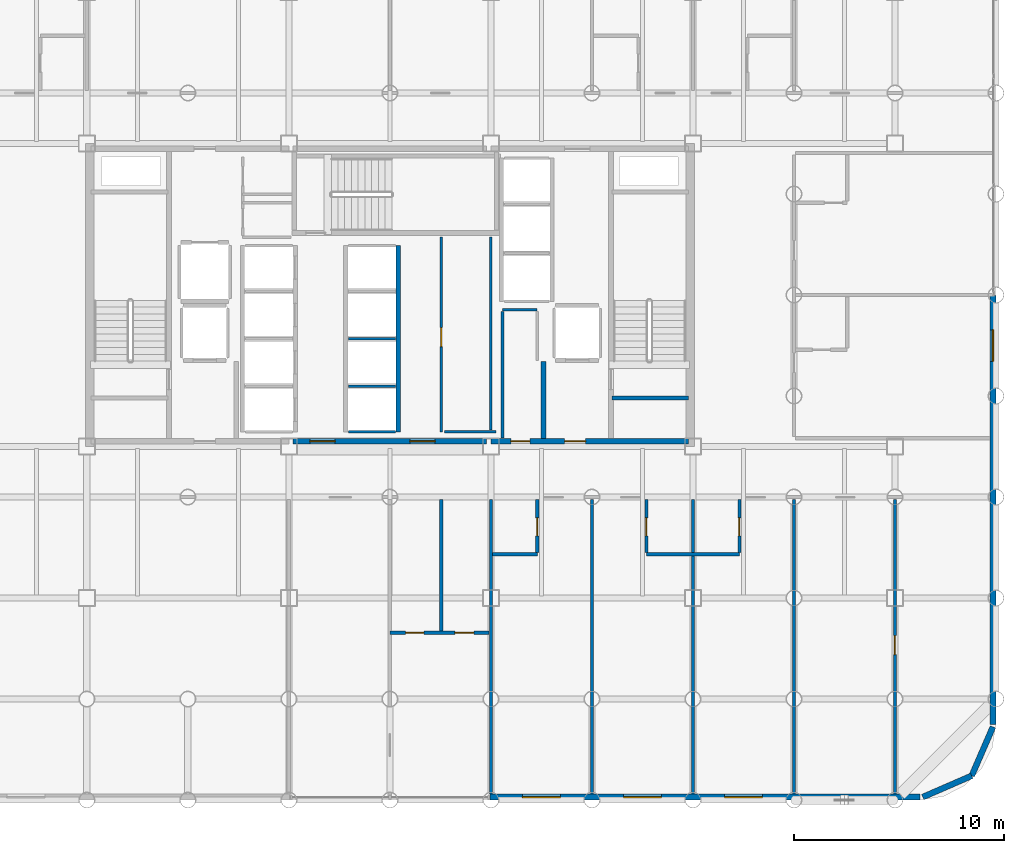
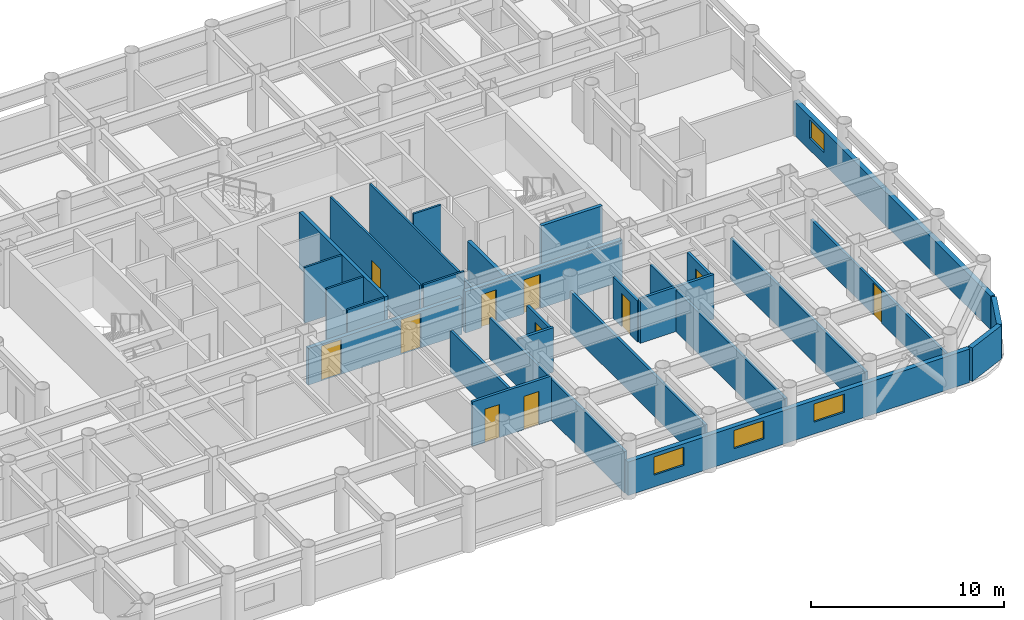
# One storey, part 17 of 21: 29 walls, 11 doors, 4 windows, 15 openings.
"""IFC4 building model written with IfcOpenShell, lengths in metres."""

from ifc_helpers import new_model, si_unit, direction, frame, frame_2d, origin, place, context, subcontext, project, spatial, rectangle, extrude, material, layer, layer_set, type_object, element, fill, save


model = new_model("IFC4")

# Units and contexts
model_context = context("Model", 3, precision=1e-05, world=origin(), true_north=direction((0.0, 1.0)))
body_context = subcontext(model_context, "Body", "Model", "MODEL_VIEW")
ifc_project = project(units=[si_unit("LENGTHUNIT", "METRE"), si_unit("AREAUNIT", "SQUARE_METRE"), si_unit("VOLUMEUNIT", "CUBIC_METRE"), si_unit("PLANEANGLEUNIT", "RADIAN"), si_unit("MASSUNIT", "GRAM", prefix="KILO")], contexts=[model_context])

# Site, building, storey
site_placement = place(None, origin())
site = spatial("IfcSite", under=ifc_project, at=site_placement, CompositionType="ELEMENT")
building_placement = place(site_placement, origin())
building = spatial("IfcBuilding", under=site, at=building_placement, Name="Kallvorn Hotel Tower", CompositionType="ELEMENT")
storey_placement = place(building_placement, frame((0.0, 0.0, 44.800048828125)))
storey = spatial("IfcBuildingStorey", under=building, at=storey_placement, Name="L09", CompositionType="ELEMENT", Elevation=44.800048828125)

# Wall, openings, doors
ifc_material_1 = material(Name="Fire-rated double-layer acoustic gypsum drywall EI 60")
ifc_layer_1 = layer(ifc_material_1, 0.159912109375)
ifc_layer_set_1 = layer_set([ifc_layer_1], Name="WL_DEMISE_160")
wall_type_1 = type_object("IfcWallType", Name="WL_DEMISE_160", PredefinedType="PARTITIONING", material=ifc_layer_set_1)
wall_1_placement = place(storey_placement, frame((0.0, -16.050048828125, 0.0), z_axis=(0.0, 0.0, 1.0), x_axis=(1.0, 0.0, 0.0)))
wall_1 = element("IfcWall", 1, at=wall_1_placement, inside=storey, type_object=wall_type_1, Name="L09 Suite 903 Executive Bedroom Partition", PredefinedType="PARTITIONING", context=body_context, shape_type="SweptSolid", body=[
    extrude(rectangle(XDim=4.719970703125, YDim=0.159912109375, at=frame_2d((2.35986328125, 0.0))), origin(), (0.0, 0.0, 1.0), 2.820068359375),
])
opening_1_placement = place(wall_1_placement, frame((0.75, 0.0, 0.0)))
opening_1 = element("IfcOpeningElement", 2, at=opening_1_placement, cuts=wall_1, Name="Opening BD-I", PredefinedType="OPENING", context=body_context, shape_type="SweptSolid", body=[
    extrude(rectangle(XDim=0.860107421875, YDim=2.10009765625, at=frame_2d((0.43017578125, 1.050048828125))), frame((0.0, 0.094970703125, 0.0), z_axis=(0.0, -1.0, 0.0), x_axis=(1.0, 0.0, 0.0)), (0.0, 0.0, 1.0), 0.18994140625),
])
opening_2_placement = place(wall_1_placement, frame((3.090087890625, 0.0, 0.0)))
opening_2 = element("IfcOpeningElement", 3, at=opening_2_placement, cuts=wall_1, Name="Opening SVD1", PredefinedType="OPENING", context=body_context, shape_type="SweptSolid", body=[
    extrude(rectangle(XDim=0.89990234375, YDim=2.10009765625, at=frame_2d((0.449951171875, 1.050048828125))), frame((0.0, 0.094970703125, 0.0), z_axis=(0.0, -1.0, 0.0), x_axis=(1.0, 0.0, 0.0)), (0.0, 0.0, 1.0), 0.18994140625),
])
ifc_material_2 = material(Name="Solid-core walnut veneer fire-rated timber door leaf", Category="wood")
door_type_1 = type_object("IfcDoorType", Name="DR_BATH_860x2100", OperationType="NOTDEFINED", PredefinedType="DOOR", material=ifc_material_2)
door_1_placement = place(opening_1_placement, origin())
door_1 = element("IfcDoor", 4, at=door_1_placement, inside=storey, type_object=door_type_1, Name="L09 Suite 903 En-Suite Bathroom Door", OperationType="SINGLE_SWING_LEFT", OverallHeight=2.10009765625, OverallWidth=0.860107421875, PredefinedType="DOOR", context=body_context, shape_type="SweptSolid", body=[
    extrude(rectangle(XDim=0.860107421875, YDim=2.10009765625, at=frame_2d((0.43017578125, 1.050048828125))), frame((0.0, 0.02490234375, 0.0), z_axis=(0.0, -1.0, 0.0), x_axis=(1.0, 0.0, 0.0)), (0.0, 0.0, 1.0), 0.050048828125),
])
fill(opening_1, door_1)
ifc_material_3 = material(Name="Galvanised painted steel fire-rated door assembly", Category="steel")
door_type_2 = type_object("IfcDoorType", Name="DR_SERV_900x2100", OperationType="NOTDEFINED", PredefinedType="DOOR", material=ifc_material_3)
door_2_placement = place(opening_2_placement, origin())
door_2 = element("IfcDoor", 5, at=door_2_placement, inside=storey, type_object=door_type_2, Name="L09 Suite 903 Walk-In Dressing Closet Door", OperationType="SINGLE_SWING_RIGHT", OverallHeight=2.10009765625, OverallWidth=0.89990234375, PredefinedType="DOOR", context=body_context, shape_type="SweptSolid", body=[
    extrude(rectangle(XDim=0.89990234375, YDim=2.10009765625, at=frame_2d((0.449951171875, 1.050048828125))), frame((0.0, 0.02490234375, 0.0), z_axis=(0.0, -1.0, 0.0), x_axis=(1.0, 0.0, 0.0)), (0.0, 0.0, 1.0), 0.050048828125),
])
fill(opening_2, door_2)

# Walls
wall_2_placement = place(storey_placement, frame((4.8798828125, -12.320068359375, 0.0), z_axis=(0.0, 0.0, 1.0), x_axis=(1.0, 0.0, 0.0)))
element("IfcWall", 6, at=wall_2_placement, inside=storey, type_object=wall_type_1, Name="L09 Suite 904 Superior Twin Room Partition", PredefinedType="PARTITIONING", context=body_context, shape_type="SweptSolid", body=[
    extrude(rectangle(XDim=2.130126953125, YDim=0.159912109375, at=frame_2d((1.06494140625, 0.0))), origin(), (0.0, 0.0, 1.0), 2.820068359375),
])
wall_3_placement = place(storey_placement, frame((12.18994140625, -12.320068359375, 0.0), z_axis=(0.0, 0.0, 1.0), x_axis=(1.0, 0.0, 0.0)))
element("IfcWall", 7, at=wall_3_placement, inside=storey, type_object=wall_type_1, Name="L09 Suite 905 Superior Twin Room Partition", PredefinedType="PARTITIONING", context=body_context, shape_type="SweptSolid", body=[
    extrude(rectangle(XDim=4.420166015625, YDim=0.159912109375, at=frame_2d((2.2099609375, 0.0))), origin(), (0.0, 0.0, 1.0), 2.820068359375),
])
wall_4_placement = place(storey_placement, frame((4.800048828125, -23.7099609375, 0.0), z_axis=(0.0, 0.0, 1.0), x_axis=(0.0, 1.0, 0.0)))
element("IfcWall", 8, at=wall_4_placement, inside=storey, type_object=wall_type_1, Name="L09 Suite 903 Executive Bedroom Partition", PredefinedType="PARTITIONING", context=body_context, shape_type="SweptSolid", body=[
    extrude(rectangle(XDim=13.989990234375, YDim=0.159912109375, at=frame_2d((6.9951171875, 0.0))), origin(), (0.0, 0.0, 1.0), 2.619873046875),
])

# Wall, opening, door
wall_5_placement = place(storey_placement, frame((7.006591796875, -12.235107421875, 0.0), z_axis=(0.0, 0.0, 1.0), x_axis=(0.0, 1.0, 0.0)))
wall_5 = element("IfcWall", 9, at=wall_5_placement, inside=storey, type_object=wall_type_1, Name="L09 Suite 904 Superior Twin Room Partition", PredefinedType="PARTITIONING", context=body_context, shape_type="SweptSolid", body=[
    extrude(rectangle(XDim=2.51513671875, YDim=0.159912109375, at=frame_2d((1.257568359375, 0.0))), origin(), (0.0, 0.0, 1.0), 2.619873046875),
])
opening_3_placement = place(wall_5_placement, frame((0.784912109375, 0.0, 0.0)))
opening_3 = element("IfcOpeningElement", 10, at=opening_3_placement, cuts=wall_5, Name="Opening BD-I", PredefinedType="OPENING", context=body_context, shape_type="SweptSolid", body=[
    extrude(rectangle(XDim=0.860107421875, YDim=2.10009765625, at=frame_2d((0.43017578125, 1.050048828125))), frame((0.0, 0.094970703125, 0.0), z_axis=(0.0, -1.0, 0.0), x_axis=(1.0, 0.0, 0.0)), (0.0, 0.0, 1.0), 0.18994140625),
])
door_3_placement = place(opening_3_placement, origin())
door_3 = element("IfcDoor", 11, at=door_3_placement, inside=storey, type_object=door_type_1, Name="L09 Suite 904 En-Suite Bathroom Door", OperationType="SINGLE_SWING_LEFT", OverallHeight=2.10009765625, OverallWidth=0.860107421875, PredefinedType="DOOR", context=body_context, shape_type="SweptSolid", body=[
    extrude(rectangle(XDim=0.860107421875, YDim=2.10009765625, at=frame_2d((0.43017578125, 1.050048828125))), frame((0.0, 0.02490234375, 0.0), z_axis=(0.0, -1.0, 0.0), x_axis=(1.0, 0.0, 0.0)), (0.0, 0.0, 1.0), 0.050048828125),
])
fill(opening_3, door_3)

# Wall
wall_6_placement = place(storey_placement, frame((9.60009765625, -23.7099609375, 0.0), z_axis=(0.0, 0.0, 1.0), x_axis=(0.0, 1.0, 0.0)))
element("IfcWall", 12, at=wall_6_placement, inside=storey, type_object=wall_type_1, Name="L09 Suite 904 Superior Twin Room Partition", PredefinedType="PARTITIONING", context=body_context, shape_type="SweptSolid", body=[
    extrude(rectangle(XDim=13.989990234375, YDim=0.159912109375, at=frame_2d((6.9951171875, 0.0))), origin(), (0.0, 0.0, 1.0), 2.619873046875),
])

# Wall, opening, door
wall_7_placement = place(storey_placement, frame((12.18994140625, -12.235107421875, 0.0), z_axis=(0.0, 0.0, 1.0), x_axis=(0.0, 1.0, 0.0)))
wall_7 = element("IfcWall", 13, at=wall_7_placement, inside=storey, type_object=wall_type_1, Name="L09 Suite 905 Superior Twin Room Partition", PredefinedType="PARTITIONING", context=body_context, shape_type="SweptSolid", body=[
    extrude(rectangle(XDim=2.51513671875, YDim=0.159912109375, at=frame_2d((1.257568359375, 0.0))), origin(), (0.0, 0.0, 1.0), 2.619873046875),
])
opening_4_placement = place(wall_7_placement, frame((0.784912109375, 0.0, 0.0)))
opening_4 = element("IfcOpeningElement", 14, at=opening_4_placement, cuts=wall_7, Name="Opening BD-I", PredefinedType="OPENING", context=body_context, shape_type="SweptSolid", body=[
    extrude(rectangle(XDim=0.860107421875, YDim=2.10009765625, at=frame_2d((0.43017578125, 1.050048828125))), frame((0.0, 0.094970703125, 0.0), z_axis=(0.0, -1.0, 0.0), x_axis=(1.0, 0.0, 0.0)), (0.0, 0.0, 1.0), 0.18994140625),
])
door_4_placement = place(opening_4_placement, origin())
door_4 = element("IfcDoor", 15, at=door_4_placement, inside=storey, type_object=door_type_1, Name="L09 Suite 905 En-Suite Bathroom Door", OperationType="SINGLE_SWING_RIGHT", OverallHeight=2.10009765625, OverallWidth=0.860107421875, PredefinedType="DOOR", context=body_context, shape_type="SweptSolid", body=[
    extrude(rectangle(XDim=0.860107421875, YDim=2.10009765625, at=frame_2d((0.43017578125, 1.050048828125))), frame((0.0, 0.02490234375, 0.0), z_axis=(0.0, -1.0, 0.0), x_axis=(1.0, 0.0, 0.0)), (0.0, 0.0, 1.0), 0.050048828125),
])
fill(opening_4, door_4)

# Wall
wall_8_placement = place(storey_placement, frame((14.39990234375, -23.7099609375, 0.0), z_axis=(0.0, 0.0, 1.0), x_axis=(0.0, 1.0, 0.0)))
element("IfcWall", 16, at=wall_8_placement, inside=storey, type_object=wall_type_1, Name="L09 Suite 905 Superior Twin Room Partition", PredefinedType="PARTITIONING", context=body_context, shape_type="SweptSolid", body=[
    extrude(rectangle(XDim=13.989990234375, YDim=0.159912109375, at=frame_2d((6.9951171875, 0.0))), origin(), (0.0, 0.0, 1.0), 2.619873046875),
])

# Wall, opening, door
wall_9_placement = place(storey_placement, frame((16.610107421875, -12.235107421875, 0.0), z_axis=(0.0, 0.0, 1.0), x_axis=(0.0, 1.0, 0.0)))
wall_9 = element("IfcWall", 17, at=wall_9_placement, inside=storey, type_object=wall_type_1, Name="L09 Suite 906 Superior Twin Room Partition", PredefinedType="PARTITIONING", context=body_context, shape_type="SweptSolid", body=[
    extrude(rectangle(XDim=2.51513671875, YDim=0.159912109375, at=frame_2d((1.257568359375, 0.0))), origin(), (0.0, 0.0, 1.0), 2.619873046875),
])
opening_5_placement = place(wall_9_placement, frame((0.784912109375, 0.0, 0.0)))
opening_5 = element("IfcOpeningElement", 18, at=opening_5_placement, cuts=wall_9, Name="Opening BD-I", PredefinedType="OPENING", context=body_context, shape_type="SweptSolid", body=[
    extrude(rectangle(XDim=0.860107421875, YDim=2.10009765625, at=frame_2d((0.43017578125, 1.050048828125))), frame((0.0, 0.094970703125, 0.0), z_axis=(0.0, -1.0, 0.0), x_axis=(1.0, 0.0, 0.0)), (0.0, 0.0, 1.0), 0.18994140625),
])
door_5_placement = place(opening_5_placement, origin())
door_5 = element("IfcDoor", 19, at=door_5_placement, inside=storey, type_object=door_type_1, Name="L09 Suite 906 En-Suite Bathroom Door", OperationType="SINGLE_SWING_RIGHT", OverallHeight=2.10009765625, OverallWidth=0.860107421875, PredefinedType="DOOR", context=body_context, shape_type="SweptSolid", body=[
    extrude(rectangle(XDim=0.860107421875, YDim=2.10009765625, at=frame_2d((0.43017578125, 1.050048828125))), frame((0.0, 0.02490234375, 0.0), z_axis=(0.0, -1.0, 0.0), x_axis=(1.0, 0.0, 0.0)), (0.0, 0.0, 1.0), 0.050048828125),
])
fill(opening_5, door_5)

# Walls
wall_10_placement = place(storey_placement, frame((19.199951171875, -23.7099609375, 0.0), z_axis=(0.0, 0.0, 1.0), x_axis=(0.0, 1.0, 0.0)))
element("IfcWall", 20, at=wall_10_placement, inside=storey, type_object=wall_type_1, Name="L09 Suite 906 Superior Twin Room Partition", PredefinedType="PARTITIONING", context=body_context, shape_type="SweptSolid", body=[
    extrude(rectangle(XDim=13.989990234375, YDim=0.159912109375, at=frame_2d((6.9951171875, 0.0))), origin(), (0.0, 0.0, 1.0), 2.619873046875),
])
ifc_material_4 = material(Name="Precast basalt-clad insulated concrete wall C40/50", Category="masonry")
ifc_layer_2 = layer(ifc_material_4, 0.280029296875)
ifc_layer_set_2 = layer_set([ifc_layer_2], Name="WL_EXT_LOGGIA_280")
wall_type_2 = type_object("IfcWallType", Name="WL_EXT_LOGGIA_280", PredefinedType="SOLIDWALL", material=ifc_layer_set_2)
wall_11_placement = place(storey_placement, frame((25.32080078125, -23.85791015625, 0.0), z_axis=(0.0, 0.0, 1.0), x_axis=(0.917060872934, 0.398747232384, 0.0)))
element("IfcWall", 21, at=wall_11_placement, inside=storey, type_object=wall_type_2, Name="L09 Rounded Corner Exterior Wall SE1", PredefinedType="SOLIDWALL", context=body_context, shape_type="SweptSolid", body=[
    extrude(rectangle(XDim=2.5361328125, YDim=0.280029296875, at=frame_2d((1.26806640625, 0.0))), origin(), (0.0, 0.0, 1.0), 2.119873046875),
])
wall_12_placement = place(storey_placement, frame((27.646484375, -22.8466796875, 0.0), z_axis=(0.0, 0.0, 1.0), x_axis=(0.398792985289, 0.917040977756, 0.0)))
element("IfcWall", 22, at=wall_12_placement, inside=storey, type_object=wall_type_2, Name="L09 Rounded Corner Exterior Wall SE2", PredefinedType="SOLIDWALL", context=body_context, shape_type="SweptSolid", body=[
    extrude(rectangle(XDim=2.536376953125, YDim=0.280029296875, at=frame_2d((1.26806640625, 0.0))), origin(), (0.0, 0.0, 1.0), 2.119873046875),
])

# Wall, openings, windows
wall_13_placement = place(storey_placement, frame((4.75, -23.860107421875, 0.0), z_axis=(0.0, 0.0, 1.0), x_axis=(1.0, 0.0, 0.0)))
wall_13 = element("IfcWall", 23, at=wall_13_placement, inside=storey, type_object=wall_type_2, Name="L09 Exterior Envelope Wall EW-L09-SE", PredefinedType="SOLIDWALL", context=body_context, shape_type="SweptSolid", body=[
    extrude(rectangle(XDim=20.449951171875, YDim=0.280029296875, at=frame_2d((10.22509765625, 0.0))), origin(), (0.0, 0.0, 1.0), 2.119873046875),
])
opening_6_placement = place(wall_13_placement, frame((1.550048828125, 0.0, 0.75)))
opening_6 = element("IfcOpeningElement", 24, at=opening_6_placement, cuts=wall_13, Name="Opening W04A", PredefinedType="OPENING", context=body_context, shape_type="SweptSolid", body=[
    extrude(rectangle(XDim=1.800048828125, YDim=1.14990234375, at=frame_2d((0.89990234375, 0.574951171875))), frame((0.0, 0.155029296875, 0.0), z_axis=(0.0, -1.0, 0.0), x_axis=(1.0, 0.0, 0.0)), (0.0, 0.0, 1.0), 0.31005859375),
])
opening_7_placement = place(wall_13_placement, frame((6.35009765625, 0.0, 0.75)))
opening_7 = element("IfcOpeningElement", 25, at=opening_7_placement, cuts=wall_13, Name="Opening W04A", PredefinedType="OPENING", context=body_context, shape_type="SweptSolid", body=[
    extrude(rectangle(XDim=1.800048828125, YDim=1.14990234375, at=frame_2d((0.89990234375, 0.574951171875))), frame((0.0, 0.155029296875, 0.0), z_axis=(0.0, -1.0, 0.0), x_axis=(1.0, 0.0, 0.0)), (0.0, 0.0, 1.0), 0.31005859375),
])
opening_8_placement = place(wall_13_placement, frame((11.14990234375, 0.0, 0.75)))
opening_8 = element("IfcOpeningElement", 26, at=opening_8_placement, cuts=wall_13, Name="Opening W04A", PredefinedType="OPENING", context=body_context, shape_type="SweptSolid", body=[
    extrude(rectangle(XDim=1.800048828125, YDim=1.14990234375, at=frame_2d((0.89990234375, 0.574951171875))), frame((0.0, 0.155029296875, 0.0), z_axis=(0.0, -1.0, 0.0), x_axis=(1.0, 0.0, 0.0)), (0.0, 0.0, 1.0), 0.31005859375),
])
ifc_material_5 = material(Name="Double-glazed low-e solar-control dark glass", Category="glass")
window_type_1 = type_object("IfcWindowType", Name="WN_HTL_1800x1150", PartitioningType="SINGLE_PANEL", PredefinedType="WINDOW", material=ifc_material_5)
window_1_placement = place(opening_6_placement, origin())
window_1 = element("IfcWindow", 27, at=window_1_placement, inside=storey, type_object=window_type_1, Name="L09 Guestroom Exterior Window 03", OverallHeight=1.14990234375, OverallWidth=1.800048828125, PartitioningType="SINGLE_PANEL", PredefinedType="WINDOW", context=body_context, shape_type="SweptSolid", body=[
    extrude(rectangle(XDim=1.800048828125, YDim=1.14990234375, at=frame_2d((0.89990234375, 0.574951171875))), frame((0.0, 0.030029296875, 0.0), z_axis=(0.0, -1.0, 0.0), x_axis=(1.0, 0.0, 0.0)), (0.0, 0.0, 1.0), 0.06005859375),
])
fill(opening_6, window_1)
window_2_placement = place(opening_7_placement, origin())
window_2 = element("IfcWindow", 28, at=window_2_placement, inside=storey, type_object=window_type_1, Name="L09 Guestroom Exterior Window 04", OverallHeight=1.14990234375, OverallWidth=1.800048828125, PartitioningType="SINGLE_PANEL", PredefinedType="WINDOW", context=body_context, shape_type="SweptSolid", body=[
    extrude(rectangle(XDim=1.800048828125, YDim=1.14990234375, at=frame_2d((0.89990234375, 0.574951171875))), frame((0.0, 0.030029296875, 0.0), z_axis=(0.0, -1.0, 0.0), x_axis=(1.0, 0.0, 0.0)), (0.0, 0.0, 1.0), 0.06005859375),
])
fill(opening_7, window_2)
window_3_placement = place(opening_8_placement, origin())
window_3 = element("IfcWindow", 29, at=window_3_placement, inside=storey, type_object=window_type_1, Name="L09 Guestroom Exterior Window 05", OverallHeight=1.14990234375, OverallWidth=1.800048828125, PartitioningType="SINGLE_PANEL", PredefinedType="WINDOW", context=body_context, shape_type="SweptSolid", body=[
    extrude(rectangle(XDim=1.800048828125, YDim=1.14990234375, at=frame_2d((0.89990234375, 0.574951171875))), frame((0.0, 0.030029296875, 0.0), z_axis=(0.0, -1.0, 0.0), x_axis=(1.0, 0.0, 0.0)), (0.0, 0.0, 1.0), 0.06005859375),
])
fill(opening_8, window_3)

# Wall, opening, window
wall_14_placement = place(storey_placement, frame((28.659912109375, -20.39990234375, 0.0), z_axis=(0.0, 0.0, 1.0), x_axis=(0.0, 1.0, 0.0)))
wall_14 = element("IfcWall", 30, at=wall_14_placement, inside=storey, type_object=wall_type_2, Name="L09 Exterior Envelope Wall EW-L09-ES", PredefinedType="SOLIDWALL", context=body_context, shape_type="SweptSolid", body=[
    extrude(rectangle(XDim=20.3798828125, YDim=0.280029296875, at=frame_2d((10.18994140625, 0.0))), origin(), (0.0, 0.0, 1.0), 2.119873046875),
])
opening_9_placement = place(wall_14_placement, frame((17.25, 0.0, 0.75)))
opening_9 = element("IfcOpeningElement", 31, at=opening_9_placement, cuts=wall_14, Name="Opening W05A", PredefinedType="OPENING", context=body_context, shape_type="SweptSolid", body=[
    extrude(rectangle(XDim=1.5, YDim=1.14990234375, at=frame_2d((0.75, 0.574951171875))), frame((0.0, 0.155029296875, 0.0), z_axis=(0.0, -1.0, 0.0), x_axis=(1.0, 0.0, 0.0)), (0.0, 0.0, 1.0), 0.31005859375),
])
ifc_material_6 = material(Name="Double-glazed low-e solar-control dark glass", Category="glass")
window_type_2 = type_object("IfcWindowType", Name="WN_HTL_1500x1150", PartitioningType="SINGLE_PANEL", PredefinedType="WINDOW", material=ifc_material_6)
window_4_placement = place(opening_9_placement, origin())
window_4 = element("IfcWindow", 32, at=window_4_placement, inside=storey, type_object=window_type_2, Name="L09 Flank Wing Window 01", OverallHeight=1.14990234375, OverallWidth=1.5, PartitioningType="SINGLE_PANEL", PredefinedType="WINDOW", context=body_context, shape_type="SweptSolid", body=[
    extrude(rectangle(XDim=1.5, YDim=1.14990234375, at=frame_2d((0.75, 0.574951171875))), frame((0.0, 0.030029296875, 0.0), z_axis=(0.0, -1.0, 0.0), x_axis=(1.0, 0.0, 0.0)), (0.0, 0.0, 1.0), 0.06005859375),
])
fill(opening_9, window_4)

# Walls
ifc_material_7 = material(Name="Concrete C40/50", Category="concrete")
ifc_layer_3 = layer(ifc_material_7, 0.219970703125)
ifc_layer_set_3 = layer_set([ifc_layer_3], Name="WL_FFL_220")
wall_type_3 = type_object("IfcWallType", Name="WL_FFL_220", PredefinedType="SOLIDWALL", material=ifc_layer_set_3)
wall_15_placement = place(storey_placement, frame((7.300048828125, -6.820068359375, 0.0), z_axis=(0.0, 0.0, 1.0), x_axis=(0.0, 1.0, 0.0)))
element("IfcWall", 33, at=wall_15_placement, inside=storey, type_object=wall_type_3, Name="L09 Firefighting Lobby East Divider Wall", PredefinedType="SOLIDWALL", context=body_context, shape_type="SweptSolid", body=[
    extrude(rectangle(XDim=3.670166015625, YDim=0.219970703125, at=frame_2d((1.8349609375, 0.0))), origin(), (0.0, 0.0, 1.0), 2.619873046875),
])
ifc_material_8 = material(Name="Concrete C40/50", Category="concrete")
ifc_layer_4 = layer(ifc_material_8, 0.199951171875)
ifc_layer_set_4 = layer_set([ifc_layer_4], Name="WL_HOIST_200")
wall_type_4 = type_object("IfcWallType", Name="WL_HOIST_200", PredefinedType="SOLIDWALL", material=ifc_layer_set_4)
wall_16_placement = place(storey_placement, frame((10.550048828125, -4.89990234375, -0.179931640625), z_axis=(0.0, 0.0, 1.0), x_axis=(1.0, 0.0, 0.0)))
element("IfcWall", 34, at=wall_16_placement, inside=storey, type_object=wall_type_4, Name="L09 Stair ST2 South Wall", PredefinedType="SOLIDWALL", context=body_context, shape_type="SweptSolid", body=[
    extrude(rectangle(XDim=3.64990234375, YDim=0.199951171875, at=frame_2d((1.824951171875, 0.0))), origin(), (0.0, 0.0, 1.0), 3.699951171875),
])
wall_17_placement = place(storey_placement, frame((0.39990234375, -6.5, 0.0), z_axis=(0.0, 0.0, 1.0), x_axis=(0.0, 1.0, 0.0)))
element("IfcWall", 35, at=wall_17_placement, inside=storey, type_object=wall_type_4, Name="L09 Lift Bank B2 Rear Shaft Wall", PredefinedType="SOLIDWALL", context=body_context, shape_type="SweptSolid", body=[
    extrude(rectangle(XDim=8.85009765625, YDim=0.199951171875, at=frame_2d((4.425048828125, 0.0))), origin(), (0.0, 0.0, 1.0), 3.52001953125),
])
ifc_material_9 = material(Name="Fire-rated double-layer acoustic gypsum drywall EI 60")
ifc_layer_5 = layer(ifc_material_9, 0.1201171875)
ifc_layer_set_5 = layer_set([ifc_layer_5], Name="WL_INT_120")
wall_type_5 = type_object("IfcWallType", Name="WL_INT_120", PredefinedType="PARTITIONING", material=ifc_layer_set_5)
for number, where, z_axis, x_axis, name in (
    (36, (-1.9599609375, -6.5, 0.0), (0.0, 0.0, 1.0), (1.0, 0.0, 0.0), "L09 Lift Bank B2 South Closure Wall"),
    (37, (-1.9599609375, -4.324951171875, 0.0), (0.0, 0.0, 1.0), (1.0, 0.0, 0.0), "L09 PL-05 Hoistway Divider"),
    (38, (-1.9599609375, -2.074951171875, 0.0), (0.0, 0.0, 1.0), (1.0, 0.0, 0.0), "L09 PL-06 Hoistway Divider"),
):
    element("IfcWall", number, at=place(storey_placement, frame(where, z_axis=z_axis, x_axis=x_axis)), inside=storey, type_object=wall_type_5, Name=name, PredefinedType="PARTITIONING", context=body_context, shape_type="SweptSolid", body=[
        extrude(rectangle(XDim=2.219970703125, YDim=0.1201171875, at=frame_2d((1.10986328125, 0.0))), origin(), (0.0, 0.0, 1.0), 3.52001953125),
    ])
wall_18_placement = place(storey_placement, frame((2.60009765625, -6.5, 0.0), z_axis=(0.0, 0.0, 1.0), x_axis=(1.0, 0.0, 0.0)))
element("IfcWall", 39, at=wall_18_placement, inside=storey, type_object=wall_type_5, Name="L09 East Core Consolidated Linen and Supply Store Partition", PredefinedType="PARTITIONING", context=body_context, shape_type="SweptSolid", body=[
    extrude(rectangle(XDim=2.449951171875, YDim=0.1201171875, at=frame_2d((1.22509765625, 0.0))), origin(), (0.0, 0.0, 1.0), 3.52001953125),
])
wall_19_placement = place(storey_placement, frame((5.35009765625, -0.699951171875, 0.0), z_axis=(0.0, 0.0, 1.0), x_axis=(1.0, 0.0, 0.0)))
element("IfcWall", 40, at=wall_19_placement, inside=storey, type_object=wall_type_5, Name="L09 Core Utility and Meter Room Partition", PredefinedType="PARTITIONING", context=body_context, shape_type="SweptSolid", body=[
    extrude(rectangle(XDim=1.64990234375, YDim=0.1201171875, at=frame_2d((0.824951171875, 0.0))), origin(), (0.0, 0.0, 1.0), 3.52001953125),
])

# Wall, opening, door
wall_20_placement = place(storey_placement, frame((2.43994140625, -6.5, 0.0), z_axis=(0.0, 0.0, 1.0), x_axis=(0.0, 1.0, 0.0)))
wall_20 = element("IfcWall", 41, at=wall_20_placement, inside=storey, type_object=wall_type_5, Name="L09 East Core Consolidated Linen and Supply Store Partition", PredefinedType="PARTITIONING", context=body_context, shape_type="SweptSolid", body=[
    extrude(rectangle(XDim=9.25, YDim=0.1201171875, at=frame_2d((4.625, 0.0))), origin(), (0.0, 0.0, 1.0), 3.52001953125),
])
opening_10_placement = place(wall_20_placement, frame((4.050048828125, 0.0, 0.0)))
opening_10 = element("IfcOpeningElement", 42, at=opening_10_placement, cuts=wall_20, Name="Opening SVD1", PredefinedType="OPENING", context=body_context, shape_type="SweptSolid", body=[
    extrude(rectangle(XDim=0.89990234375, YDim=2.10009765625, at=frame_2d((0.449951171875, 1.050048828125))), frame((0.0, 0.074951171875, 0.0), z_axis=(0.0, -1.0, 0.0), x_axis=(1.0, 0.0, 0.0)), (0.0, 0.0, 1.0), 0.150146484375),
])
door_6_placement = place(opening_10_placement, origin())
door_6 = element("IfcDoor", 43, at=door_6_placement, inside=storey, type_object=door_type_2, Name="L09 East Core Consolidated Linen and Supply Store Door", OperationType="SINGLE_SWING_LEFT", OverallHeight=2.10009765625, OverallWidth=0.89990234375, PredefinedType="DOOR", context=body_context, shape_type="SweptSolid", body=[
    extrude(rectangle(XDim=0.89990234375, YDim=2.10009765625, at=frame_2d((0.449951171875, 1.050048828125))), frame((0.0, 0.02490234375, 0.0), z_axis=(0.0, -1.0, 0.0), x_axis=(1.0, 0.0, 0.0)), (0.0, 0.0, 1.0), 0.050048828125),
])
fill(opening_10, door_6)

# Walls
wall_21_placement = place(storey_placement, frame((4.800048828125, -6.4150390625, 0.0), z_axis=(0.0, 0.0, 1.0), x_axis=(0.0, 1.0, 0.0)))
element("IfcWall", 44, at=wall_21_placement, inside=storey, type_object=wall_type_5, Name="L09 East Core Consolidated Linen and Supply Store Partition", PredefinedType="PARTITIONING", context=body_context, shape_type="SweptSolid", body=[
    extrude(rectangle(XDim=9.1650390625, YDim=0.1201171875, at=frame_2d((4.58251953125, 0.0))), origin(), (0.0, 0.0, 1.0), 3.52001953125),
])
wall_22_placement = place(storey_placement, frame((5.35009765625, -6.800048828125, 0.0), z_axis=(0.0, 0.0, 1.0), x_axis=(0.0, 1.0, 0.0)))
element("IfcWall", 45, at=wall_22_placement, inside=storey, type_object=wall_type_5, Name="L09 Core Utility and Meter Room Partition", PredefinedType="PARTITIONING", context=body_context, shape_type="SweptSolid", body=[
    extrude(rectangle(XDim=6.01513671875, YDim=0.1201171875, at=frame_2d((3.007568359375, 0.0))), origin(), (0.0, 0.0, 1.0), 2.619873046875),
])
ifc_material_10 = material(Name="Fire-rated double-layer acoustic gypsum drywall EI 60")
ifc_layer_6 = layer(ifc_material_10, 0.14990234375)
ifc_layer_set_6 = layer_set([ifc_layer_6], Name="WL_PART_150")
wall_type_6 = type_object("IfcWallType", Name="WL_PART_150", PredefinedType="PARTITIONING", material=ifc_layer_set_6)
wall_23_placement = place(storey_placement, frame((2.43994140625, -15.965087890625, 0.0), z_axis=(0.0, 0.0, 1.0), x_axis=(0.0, 1.0, 0.0)))
element("IfcWall", 46, at=wall_23_placement, inside=storey, type_object=wall_type_6, Name="L09 Suite 903 Walk-In Dressing Closet Partition", PredefinedType="PARTITIONING", context=body_context, shape_type="SweptSolid", body=[
    extrude(rectangle(XDim=6.2451171875, YDim=0.14990234375, at=frame_2d((3.12255859375, 0.0))), origin(), (0.0, 0.0, 1.0), 2.619873046875),
])

# Wall, opening, door
wall_24_placement = place(storey_placement, frame((24.0, -23.7099609375, 0.0), z_axis=(0.0, 0.0, 1.0), x_axis=(0.0, 1.0, 0.0)))
wall_24 = element("IfcWall", 47, at=wall_24_placement, inside=storey, type_object=wall_type_6, Name="L09 L09 South-East Sommelier Bar A Partition", PredefinedType="PARTITIONING", context=body_context, shape_type="SweptSolid", body=[
    extrude(rectangle(XDim=13.989990234375, YDim=0.14990234375, at=frame_2d((6.9951171875, 0.0))), origin(), (0.0, 0.0, 1.0), 2.119873046875),
])
opening_11_placement = place(wall_24_placement, frame((6.625, 0.0, 0.0)))
opening_11 = element("IfcOpeningElement", 48, at=opening_11_placement, cuts=wall_24, Name="Opening SVD1A", PredefinedType="OPENING", context=body_context, shape_type="SweptSolid", body=[
    extrude(rectangle(XDim=0.89990234375, YDim=2.02001953125, at=frame_2d((0.449951171875, 1.010009765625))), frame((0.0, 0.08984375, 0.0), z_axis=(0.0, -1.0, 0.0), x_axis=(1.0, 0.0, 0.0)), (0.0, 0.0, 1.0), 0.179931640625),
])
ifc_material_11 = material(Name="Galvanised painted steel fire-rated door assembly", Category="steel")
door_type_3 = type_object("IfcDoorType", Name="DR_SERV_900x2020", OperationType="NOTDEFINED", PredefinedType="DOOR", material=ifc_material_11)
door_7_placement = place(opening_11_placement, origin())
door_7 = element("IfcDoor", 49, at=door_7_placement, inside=storey, type_object=door_type_3, Name="L09 L09 South-East Sommelier Bar B Door", OperationType="SINGLE_SWING_LEFT", OverallHeight=2.02001953125, OverallWidth=0.89990234375, PredefinedType="DOOR", context=body_context, shape_type="SweptSolid", body=[
    extrude(rectangle(XDim=0.89990234375, YDim=2.02001953125, at=frame_2d((0.449951171875, 1.010009765625))), frame((0.0, 0.02490234375, 0.0), z_axis=(0.0, -1.0, 0.0), x_axis=(1.0, 0.0, 0.0)), (0.0, 0.0, 1.0), 0.050048828125),
])
fill(opening_11, door_7)

# Wall, openings, doors
ifc_material_12 = material(Name="Concrete C40/50", Category="concrete")
ifc_layer_7 = layer(ifc_material_12, 0.25)
ifc_layer_set_7 = layer_set([ifc_layer_7], Name="WL_SHAFT_250")
wall_type_7 = type_object("IfcWallType", Name="WL_SHAFT_250", PredefinedType="SOLIDWALL", material=ifc_layer_set_7)
wall_25_placement = place(storey_placement, frame((-4.60009765625, -6.949951171875, 0.0), z_axis=(0.0, 0.0, 1.0), x_axis=(1.0, 0.0, 0.0)))
wall_25 = element("IfcWall", 50, at=wall_25_placement, inside=storey, type_object=wall_type_7, Name="L09 Core South-Central Wall", PredefinedType="SOLIDWALL", context=body_context, shape_type="SweptSolid", body=[
    extrude(rectangle(XDim=9.2001953125, YDim=0.25, at=frame_2d((4.60009765625, 0.0))), origin(), (0.0, 0.0, 1.0), 2.320068359375),
])
opening_12_placement = place(wall_25_placement, frame((0.800048828125, 0.0, 0.0)))
opening_12 = element("IfcOpeningElement", 51, at=opening_12_placement, cuts=wall_25, Name="Opening FD2", PredefinedType="OPENING", context=body_context, shape_type="SweptSolid", body=[
    extrude(rectangle(XDim=1.199951171875, YDim=2.199951171875, at=frame_2d((0.60009765625, 1.10009765625))), frame((0.0, 0.139892578125, 0.0), z_axis=(0.0, -1.0, 0.0), x_axis=(1.0, 0.0, 0.0)), (0.0, 0.0, 1.0), 0.280029296875),
])
opening_13_placement = place(wall_25_placement, frame((5.550048828125, 0.0, 0.0)))
opening_13 = element("IfcOpeningElement", 52, at=opening_13_placement, cuts=wall_25, Name="Opening FD2", PredefinedType="OPENING", context=body_context, shape_type="SweptSolid", body=[
    extrude(rectangle(XDim=1.199951171875, YDim=2.199951171875, at=frame_2d((0.60009765625, 1.10009765625))), frame((0.0, 0.139892578125, 0.0), z_axis=(0.0, -1.0, 0.0), x_axis=(1.0, 0.0, 0.0)), (0.0, 0.0, 1.0), 0.280029296875),
])
ifc_material_13 = material(Name="Galvanised painted steel fire-rated door assembly", Category="steel")
door_type_4 = type_object("IfcDoorType", Name="DR_LOBBY_1200x2200", OperationType="DOUBLE_DOOR_SINGLE_SWING", PredefinedType="DOOR", material=ifc_material_13)
door_8_placement = place(opening_12_placement, origin())
door_8 = element("IfcDoor", 53, at=door_8_placement, inside=storey, type_object=door_type_4, Name="L09 West Passenger Lift Lobby Door", OperationType="DOUBLE_DOOR_SINGLE_SWING", OverallHeight=2.199951171875, OverallWidth=1.199951171875, PredefinedType="DOOR", context=body_context, shape_type="SweptSolid", body=[
    extrude(rectangle(XDim=1.199951171875, YDim=2.199951171875, at=frame_2d((0.60009765625, 1.10009765625))), frame((0.0, 0.02490234375, 0.0), z_axis=(0.0, -1.0, 0.0), x_axis=(1.0, 0.0, 0.0)), (0.0, 0.0, 1.0), 0.050048828125),
])
fill(opening_12, door_8)
door_9_placement = place(opening_13_placement, origin())
door_9 = element("IfcDoor", 54, at=door_9_placement, inside=storey, type_object=door_type_4, Name="L09 East Passenger Lift Lobby Door", OperationType="DOUBLE_DOOR_SINGLE_SWING", OverallHeight=2.199951171875, OverallWidth=1.199951171875, PredefinedType="DOOR", context=body_context, shape_type="SweptSolid", body=[
    extrude(rectangle(XDim=1.199951171875, YDim=2.199951171875, at=frame_2d((0.60009765625, 1.10009765625))), frame((0.0, 0.02490234375, 0.0), z_axis=(0.0, -1.0, 0.0), x_axis=(1.0, 0.0, 0.0)), (0.0, 0.0, 1.0), 0.050048828125),
])
fill(opening_13, door_9)

wall_26_placement = place(storey_placement, frame((4.800048828125, -6.949951171875, 0.0), z_axis=(0.0, 0.0, 1.0), x_axis=(1.0, 0.0, 0.0)))
wall_26 = element("IfcWall", 55, at=wall_26_placement, inside=storey, type_object=wall_type_7, Name="L09 Core South-East Wall", PredefinedType="SOLIDWALL", context=body_context, shape_type="SweptSolid", body=[
    extrude(rectangle(XDim=9.39990234375, YDim=0.25, at=frame_2d((4.699951171875, 0.0))), origin(), (0.0, 0.0, 1.0), 2.619873046875),
])
opening_14_placement = place(wall_26_placement, frame((3.5, 0.0, 0.0)))
opening_14 = element("IfcOpeningElement", 56, at=opening_14_placement, cuts=wall_26, Name="Opening FD1", PredefinedType="OPENING", context=body_context, shape_type="SweptSolid", body=[
    extrude(rectangle(XDim=1.0, YDim=2.14990234375, at=frame_2d((0.5, 1.074951171875))), frame((0.0, 0.139892578125, 0.0), z_axis=(0.0, -1.0, 0.0), x_axis=(1.0, 0.0, 0.0)), (0.0, 0.0, 1.0), 0.280029296875),
])
opening_15_placement = place(wall_26_placement, frame((0.949951171875, 0.0, 0.0)))
opening_15 = element("IfcOpeningElement", 57, at=opening_15_placement, cuts=wall_26, Name="Opening SVD1", PredefinedType="OPENING", context=body_context, shape_type="SweptSolid", body=[
    extrude(rectangle(XDim=0.89990234375, YDim=2.10009765625, at=frame_2d((0.449951171875, 1.050048828125))), frame((0.0, 0.139892578125, 0.0), z_axis=(0.0, -1.0, 0.0), x_axis=(1.0, 0.0, 0.0)), (0.0, 0.0, 1.0), 0.280029296875),
])
ifc_material_14 = material(Name="Galvanised painted steel fire-rated door assembly", Category="steel")
door_type_5 = type_object("IfcDoorType", Name="DR_FFL_1000x2150", OperationType="NOTDEFINED", PredefinedType="DOOR", material=ifc_material_14)
door_10_placement = place(opening_14_placement, origin())
door_10 = element("IfcDoor", 58, at=door_10_placement, inside=storey, type_object=door_type_5, Name="L09 Firefighting Lobby East Door", OperationType="SINGLE_SWING_RIGHT", OverallHeight=2.14990234375, OverallWidth=1.0, PredefinedType="DOOR", context=body_context, shape_type="SweptSolid", body=[
    extrude(rectangle(XDim=1.0, YDim=2.14990234375, at=frame_2d((0.5, 1.074951171875))), frame((0.0, 0.02490234375, 0.0), z_axis=(0.0, -1.0, 0.0), x_axis=(1.0, 0.0, 0.0)), (0.0, 0.0, 1.0), 0.050048828125),
])
fill(opening_14, door_10)
door_11_placement = place(opening_15_placement, origin())
door_11 = element("IfcDoor", 59, at=door_11_placement, inside=storey, type_object=door_type_2, Name="L09 Core Utility and Meter Room Door", OperationType="SINGLE_SWING_RIGHT", OverallHeight=2.10009765625, OverallWidth=0.89990234375, PredefinedType="DOOR", context=body_context, shape_type="SweptSolid", body=[
    extrude(rectangle(XDim=0.89990234375, YDim=2.10009765625, at=frame_2d((0.449951171875, 1.050048828125))), frame((0.0, 0.02490234375, 0.0), z_axis=(0.0, -1.0, 0.0), x_axis=(1.0, 0.0, 0.0)), (0.0, 0.0, 1.0), 0.050048828125),
])
fill(opening_15, door_11)

save(model, "model.ifc")
